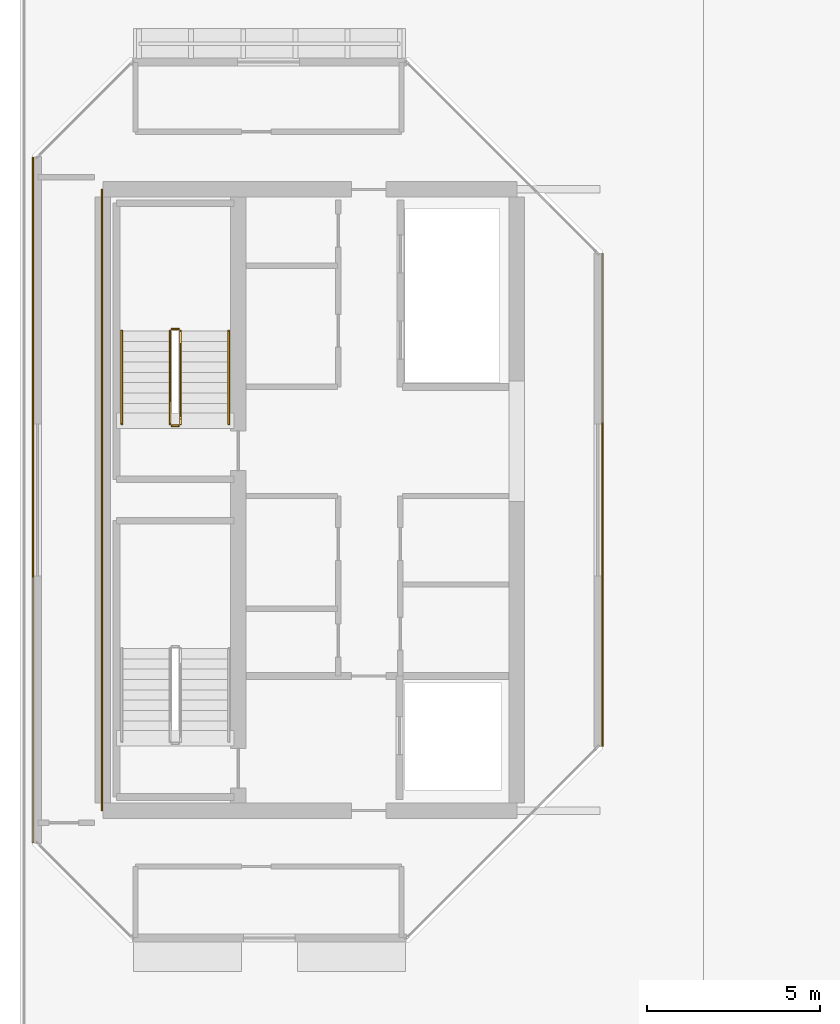
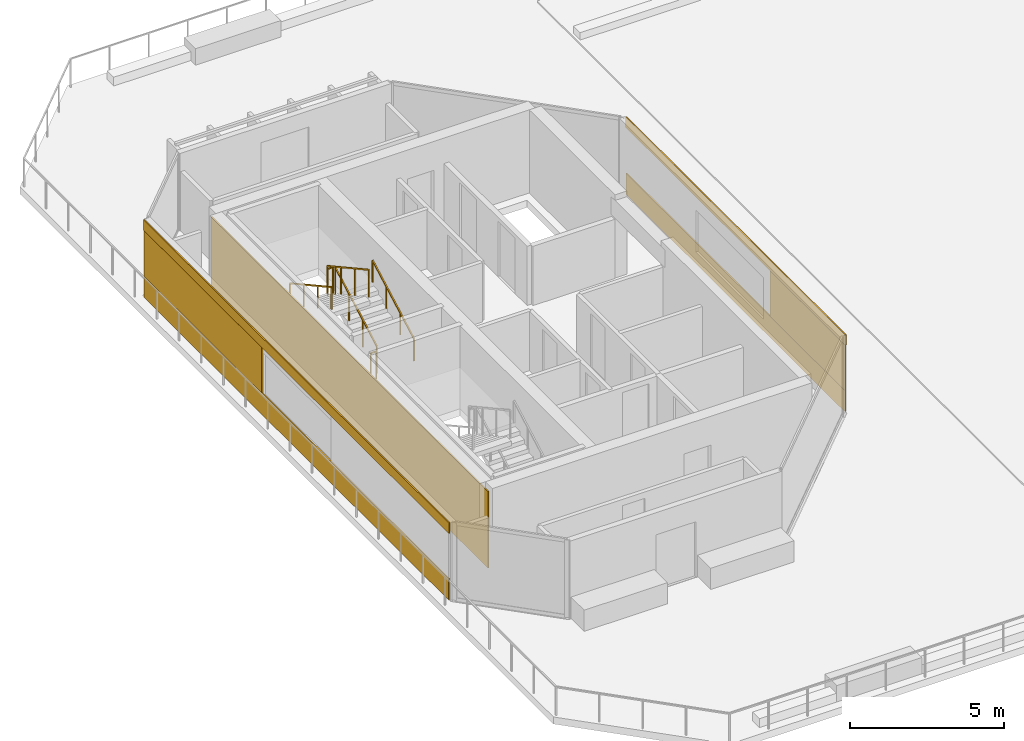
# One storey, part 27 of 30: 7 coverings, 6 railings.
"""IFC4 building model written with IfcOpenShell, lengths in metres."""

from ifc_helpers import new_model, si_unit, direction, frame, origin, origin_2d, place, context, subcontext, project, spatial, rectangle, extrude, material, layer, layer_set, type_object, element, save


model = new_model("IFC4")

# Units and contexts
model_context = context("Model", 3, precision=1e-05, world=origin(), true_north=direction((0.0, 1.0)))
body_context = subcontext(model_context, "Body", "Model", "MODEL_VIEW")
ifc_project = project(units=[si_unit("LENGTHUNIT", "METRE"), si_unit("AREAUNIT", "SQUARE_METRE"), si_unit("VOLUMEUNIT", "CUBIC_METRE"), si_unit("PLANEANGLEUNIT", "RADIAN"), si_unit("MASSUNIT", "GRAM", prefix="KILO")], contexts=[model_context])

# Site, building, storey
site_placement = place(None, origin())
site = spatial("IfcSite", under=ifc_project, at=site_placement, CompositionType="ELEMENT")
building_placement = place(site_placement, origin())
building = spatial("IfcBuilding", under=site, at=building_placement, Name="Tanjung Sevakor Pilgrim Tower", CompositionType="ELEMENT")
storey_placement = place(building_placement, frame((0.0, 0.0, 229.35009765625)))
storey = spatial("IfcBuildingStorey", under=building, at=storey_placement, Name="L64", CompositionType="ELEMENT", Elevation=229.35009765625)

# Coverings
ifc_material_1 = material(Name="Reconstructed Limestone Cladding", Category="masonry")
ifc_layer = layer(ifc_material_1, 0.044921875)
ifc_layer_set = layer_set([ifc_layer], Name="COV-CLAD-LIMESTONE")
covering_type = type_object("IfcCoveringType", Name="COV-CLAD-LIMESTONE", PredefinedType="CLADDING", material=ifc_layer_set)
covering_1_placement = place(storey_placement, frame((38.472412109375, 33.60009765625, 0.009765625), z_axis=(0.0, 0.0, 1.0), x_axis=(0.0, 1.0, 0.0)))
element("IfcCovering", 1, at=covering_1_placement, inside=storey, type_object=covering_type, Name="L64 Warm Limestone Sill Spandrel EW-L64-WEST-3-1", PredefinedType="CLADDING", context=body_context, shape_type="SweptSolid", body=[
    extrude(rectangle(XDim=14.228759765625, YDim=0.044921875, at=origin_2d()), origin(), (0.0, 0.0, 1.0), 0.840087890625),
])
covering_2_placement = place(storey_placement, frame((38.472412109375, 33.60009765625, 2.66015625), z_axis=(0.0, 0.0, 1.0), x_axis=(0.0, 1.0, 0.0)))
element("IfcCovering", 2, at=covering_2_placement, inside=storey, type_object=covering_type, Name="L64 Warm Limestone Cornice Spandrel EW-L64-WEST-3", PredefinedType="CLADDING", context=body_context, shape_type="SweptSolid", body=[
    extrude(rectangle(XDim=14.268798828125, YDim=0.044921875, at=origin_2d()), origin(), (0.0, 0.0, 1.0), 0.409912109375),
])
covering_3_placement = place(storey_placement, frame((38.472412109375, 28.917724609375, 0.849853515625), z_axis=(0.0, 0.0, 1.0), x_axis=(0.0, 1.0, 0.0)))
element("IfcCovering", 3, at=covering_3_placement, inside=storey, type_object=covering_type, Name="L64 Warm Limestone Pier Panel EW-L64-WEST-3-1", PredefinedType="CLADDING", context=body_context, shape_type="SweptSolid", body=[
    extrude(rectangle(XDim=4.864501953125, YDim=0.044921875, at=origin_2d()), origin(), (0.0, 0.0, 1.0), 1.81005859375),
])
covering_4_placement = place(storey_placement, frame((21.9775390625, 33.60009765625, 0.009765625), z_axis=(0.0, 0.0, 1.0), x_axis=(0.0, -1.0, 0.0)))
element("IfcCovering", 4, at=covering_4_placement, inside=storey, type_object=covering_type, Name="L64 Warm Limestone Sill Spandrel EW-L64-WEST-7-1", PredefinedType="CLADDING", context=body_context, shape_type="SweptSolid", body=[
    extrude(rectangle(XDim=19.828857421875, YDim=0.044921875, at=origin_2d()), origin(), (0.0, 0.0, 1.0), 0.840087890625),
])
covering_5_placement = place(storey_placement, frame((21.9775390625, 33.60009765625, 2.66015625), z_axis=(0.0, 0.0, 1.0), x_axis=(0.0, -1.0, 0.0)))
element("IfcCovering", 5, at=covering_5_placement, inside=storey, type_object=covering_type, Name="L64 Warm Limestone Cornice Spandrel EW-L64-WEST-7", PredefinedType="CLADDING", context=body_context, shape_type="SweptSolid", body=[
    extrude(rectangle(XDim=19.868896484375, YDim=0.044921875, at=origin_2d()), origin(), (0.0, 0.0, 1.0), 0.409912109375),
])
covering_6_placement = place(storey_placement, frame((21.9775390625, 39.68212890625, 0.849853515625), z_axis=(0.0, 0.0, 1.0), x_axis=(0.0, -1.0, 0.0)))
element("IfcCovering", 6, at=covering_6_placement, inside=storey, type_object=covering_type, Name="L64 Warm Limestone Pier Panel EW-L64-WEST-7-1", PredefinedType="CLADDING", context=body_context, shape_type="SweptSolid", body=[
    extrude(rectangle(XDim=7.664306640625, YDim=0.044921875, at=origin_2d()), origin(), (0.0, 0.0, 1.0), 1.81005859375),
])
covering_7_placement = place(storey_placement, frame((23.9775390625, 33.60009765625, 0.019775390625), z_axis=(0.0, 0.0, 1.0), x_axis=(1.0, 0.0, 0.0)))
element("IfcCovering", 7, at=covering_7_placement, inside=storey, type_object=covering_type, Name="L64 Expressed Core Warm Limestone Cladding W", PredefinedType="CLADDING", context=body_context, shape_type="SweptSolid", body=[
    extrude(rectangle(XDim=0.044921875, YDim=18.0, at=origin_2d()), origin(), (0.0, 0.0, 1.0), 3.0400390625),
])

# Railings
ifc_material_2 = material(Name="Steel S355J2", Category="steel")
railing_type_1 = type_object("IfcRailingType", Name="RL-STAIR-GUARD", PredefinedType="GUARDRAIL", material=ifc_material_2)
railing_1_placement = place(storey_placement, frame((26.25, 35.800048828125, 0.164794921875)))
element("IfcRailing", 8, at=railing_1_placement, inside=storey, type_object=railing_type_1, Name="L64 TS-W2 stair guard 1", PredefinedType="GUARDRAIL", context=body_context, shape_type="SweptSolid", body=[
    extrude(rectangle(XDim=0.0479, YDim=0.0479), frame((0.0, 0.0, 1.076171875), z_axis=(0.0, 0.876197507361, 0.481952205197), x_axis=(-1.0, 0.0, 0.0)), (0.0, 0.0, 1.0), 3.08154296875),
    extrude(rectangle(XDim=0.042, YDim=0.042), origin(), (0.0, 0.0, 1.0), 1.052001953125),
    extrude(rectangle(XDim=0.042, YDim=0.042), frame((0.0, 0.89990234375, 0.4951171875)), (0.0, 0.0, 1.0), 1.052001953125),
    extrude(rectangle(XDim=0.042, YDim=0.042), frame((0.0, 1.800048828125, 0.989990234375)), (0.0, 0.0, 1.0), 1.052001953125),
    extrude(rectangle(XDim=0.042, YDim=0.042), frame((0.0, 2.699951171875, 1.485107421875)), (0.0, 0.0, 1.0), 1.052001953125),
])
railing_2_placement = place(storey_placement, frame((26.199951171875, 38.550048828125, 1.64990234375)))
element("IfcRailing", 9, at=railing_2_placement, inside=storey, type_object=railing_type_1, Name="L64 TS-W2 stair guard 2", PredefinedType="GUARDRAIL", context=body_context, shape_type="SweptSolid", body=[
    extrude(rectangle(XDim=0.0479, YDim=0.0479), frame((0.0, 0.0, 1.076171875), z_axis=(-1.0, 0.0, 0.0), x_axis=(0.0, -1.0, 0.0)), (0.0, 0.0, 1.0), 0.199951171875),
    extrude(rectangle(XDim=0.042, YDim=0.042), origin(), (0.0, 0.0, 1.0), 1.052001953125),
    extrude(rectangle(XDim=0.042, YDim=0.042), frame((-0.199951171875, 0.0, 0.0)), (0.0, 0.0, 1.0), 1.052001953125),
])
railing_3_placement = place(storey_placement, frame((25.949951171875, 38.5, 1.81494140625)))
element("IfcRailing", 10, at=railing_3_placement, inside=storey, type_object=railing_type_1, Name="L64 TS-W2 stair guard 3", PredefinedType="GUARDRAIL", context=body_context, shape_type="SweptSolid", body=[
    extrude(rectangle(XDim=0.0479, YDim=0.0479), frame((0.0, 0.0, 1.076171875), z_axis=(0.0, -0.876230963923, 0.481891375584), x_axis=(1.0, 0.0, 0.0)), (0.0, 0.0, 1.0), 3.081298828125),
    extrude(rectangle(XDim=0.042, YDim=0.042), origin(), (0.0, 0.0, 1.0), 1.052001953125),
    extrude(rectangle(XDim=0.042, YDim=0.042), frame((0.0, -0.89990234375, 0.494873046875)), (0.0, 0.0, 1.0), 1.052001953125),
    extrude(rectangle(XDim=0.042, YDim=0.042), frame((0.0, -1.800048828125, 0.989990234375)), (0.0, 0.0, 1.0), 1.052001953125),
    extrude(rectangle(XDim=0.042, YDim=0.042), frame((0.0, -2.699951171875, 1.48486328125)), (0.0, 0.0, 1.0), 1.052001953125),
])
railing_4_placement = place(storey_placement, frame((26.199951171875, 35.75, 0.0)))
element("IfcRailing", 11, at=railing_4_placement, inside=storey, type_object=railing_type_1, Name="L64 TS-W2 stair guard 4", PredefinedType="GUARDRAIL", context=body_context, shape_type="SweptSolid", body=[
    extrude(rectangle(XDim=0.0479, YDim=0.0479), frame((0.0, 0.0, 1.076171875), z_axis=(-1.0, 0.0, 0.0), x_axis=(0.0, -1.0, 0.0)), (0.0, 0.0, 1.0), 0.199951171875),
    extrude(rectangle(XDim=0.042, YDim=0.042), origin(), (0.0, 0.0, 1.0), 1.052001953125),
    extrude(rectangle(XDim=0.042, YDim=0.042), frame((-0.199951171875, 0.0, 0.0)), (0.0, 0.0, 1.0), 1.052001953125),
])
ifc_material_3 = material(Name="Steel S355J2", Category="steel")
railing_type_2 = type_object("IfcRailingType", Name="RL-STAIR-HAND", PredefinedType="HANDRAIL", material=ifc_material_3)
railing_5_placement = place(storey_placement, frame((27.64990234375, 35.800048828125, 0.164794921875)))
element("IfcRailing", 12, at=railing_5_placement, inside=storey, type_object=railing_type_2, Name="L64 TS-W2 stair handrail 1", PredefinedType="HANDRAIL", context=body_context, shape_type="SweptSolid", body=[
    extrude(rectangle(XDim=0.0479, YDim=0.0479), frame((0.0, 0.0, 0.8759765625), z_axis=(0.0, 0.876197507361, 0.481952205197), x_axis=(-1.0, 0.0, 0.0)), (0.0, 0.0, 1.0), 3.08154296875),
    extrude(rectangle(XDim=0.042, YDim=0.042), origin(), (0.0, 0.0, 1.0), 0.851806640625),
    extrude(rectangle(XDim=0.042, YDim=0.042), frame((0.0, 0.89990234375, 0.4951171875)), (0.0, 0.0, 1.0), 0.851806640625),
    extrude(rectangle(XDim=0.042, YDim=0.042), frame((0.0, 1.800048828125, 0.989990234375)), (0.0, 0.0, 1.0), 0.851806640625),
    extrude(rectangle(XDim=0.042, YDim=0.042), frame((0.0, 2.699951171875, 1.485107421875)), (0.0, 0.0, 1.0), 0.851806640625),
])
railing_6_placement = place(storey_placement, frame((24.550048828125, 38.5, 1.81494140625)))
element("IfcRailing", 13, at=railing_6_placement, inside=storey, type_object=railing_type_2, Name="L64 TS-W2 stair handrail 2", PredefinedType="HANDRAIL", context=body_context, shape_type="SweptSolid", body=[
    extrude(rectangle(XDim=0.0479, YDim=0.0479), frame((0.0, 0.0, 0.8759765625), z_axis=(0.0, -0.876230963923, 0.481891375584), x_axis=(1.0, 0.0, 0.0)), (0.0, 0.0, 1.0), 3.081298828125),
    extrude(rectangle(XDim=0.042, YDim=0.042), origin(), (0.0, 0.0, 1.0), 0.851806640625),
    extrude(rectangle(XDim=0.042, YDim=0.042), frame((0.0, -0.89990234375, 0.494873046875)), (0.0, 0.0, 1.0), 0.851806640625),
    extrude(rectangle(XDim=0.042, YDim=0.042), frame((0.0, -1.800048828125, 0.989990234375)), (0.0, 0.0, 1.0), 0.851806640625),
    extrude(rectangle(XDim=0.042, YDim=0.042), frame((0.0, -2.699951171875, 1.48486328125)), (0.0, 0.0, 1.0), 0.851806640625),
])

save(model, "model.ifc")
